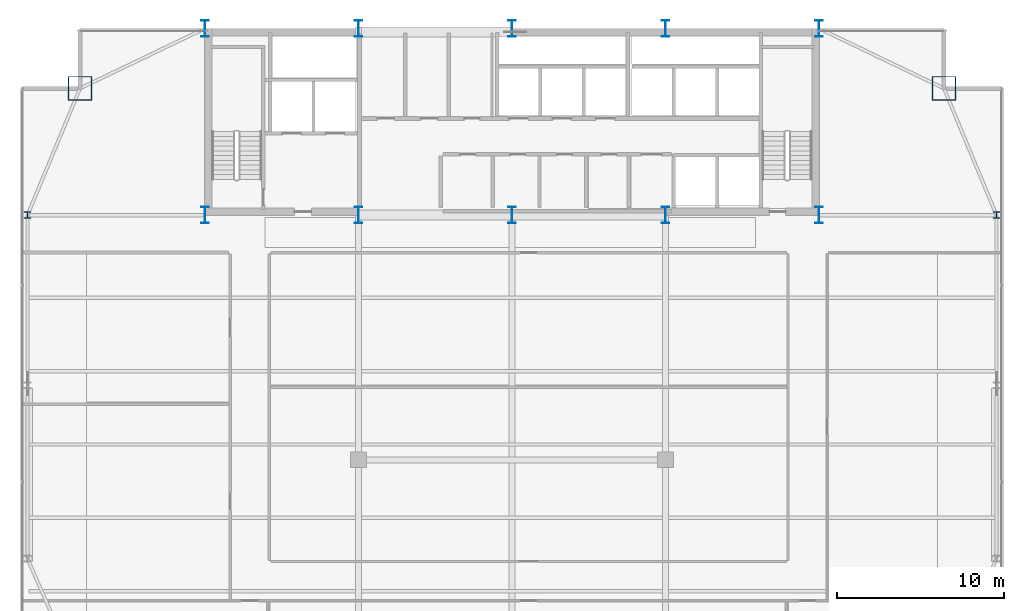
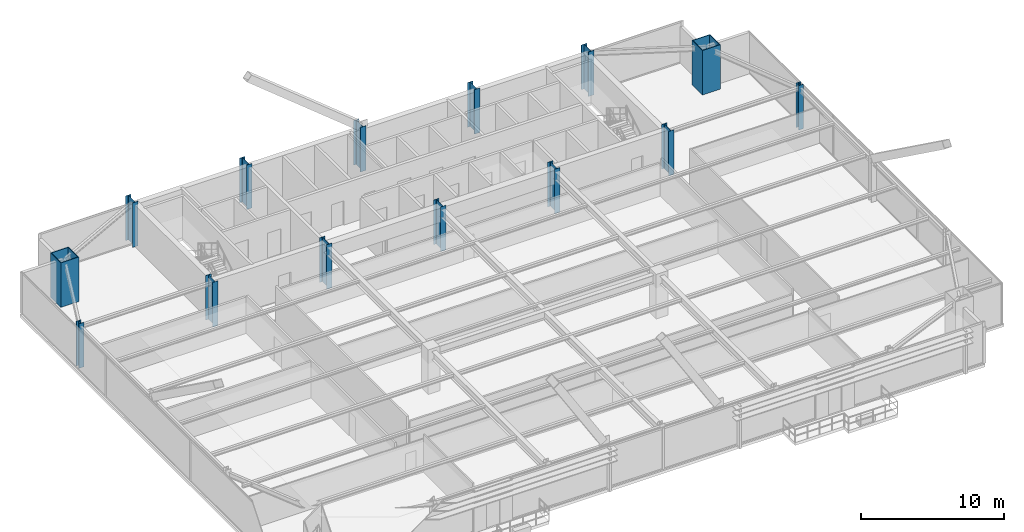
# One storey, part 2 of 37: 14 columns.
"""IFC4 building model written with IfcOpenShell, lengths in metres."""

from ifc_helpers import new_model, si_unit, direction, frame, origin, origin_2d, place, context, subcontext, project, spatial, hollow_rectangle, i_section, extrude, source, transform, mapped, material, material_profile, profile_set, type_object, type_shapes, element, save


model = new_model("IFC4")

# Units and contexts
model_context = context("Model", 3, precision=1e-05, world=origin(), true_north=direction((0.0, 1.0)))
body_context = subcontext(model_context, "Body", "Model", "MODEL_VIEW")
ifc_project = project(units=[si_unit("LENGTHUNIT", "METRE"), si_unit("AREAUNIT", "SQUARE_METRE"), si_unit("VOLUMEUNIT", "CUBIC_METRE"), si_unit("PLANEANGLEUNIT", "RADIAN"), si_unit("MASSUNIT", "GRAM", prefix="KILO")], contexts=[model_context])

# Site, building, storey
site_placement = place(None, origin())
site = spatial("IfcSite", under=ifc_project, at=site_placement, CompositionType="ELEMENT")
building_placement = place(site_placement, origin())
building = spatial("IfcBuilding", under=site, at=building_placement, Name="Varnel Quay Broadcast Tower", CompositionType="ELEMENT")
storey_placement = place(building_placement, frame((0.0, 0.0, 106.800048828125)))
storey = spatial("IfcBuildingStorey", under=building, at=storey_placement, Name="L25", CompositionType="ELEMENT", Elevation=106.800048828125)

# Columns
ifc_material_1 = material(Name="Structural Steel CSA G40.21 350WT", Category="steel")
ifc_material_profile_1 = material_profile(ifc_material_1, i_section(OverallWidth=0.449951171875, OverallDepth=1.0, WebThickness=0.01611328125, FlangeThickness=0.030029296875, FilletRadius=0.01611328125, at=origin_2d()), Name="WWF1000X362")
ifc_profile_set_1 = profile_set([ifc_material_profile_1], Name="Structural Steel CSA G40.21 350WT")
column_type_1 = type_object("IfcColumnType", Name="Col_WWF1000X362", PredefinedType="COLUMN", material=ifc_profile_set_1)
shared_shape_1 = source(origin(), body_context, "Body", "SweptSolid", [
    extrude(i_section(OverallWidth=0.449951171875, OverallDepth=1.0, WebThickness=0.01611328125, FlangeThickness=0.030029296875, FilletRadius=0.01611328125, at=origin_2d()), origin(), (0.0, 0.0, 1.0), 3.800048828125),
])
type_shapes(column_type_1, [shared_shape_1])
for number, where, z_axis, x_axis, name in (
    (1, (15.60009765625, 35.60009765625, 0.0), (0.0, 0.0, 1.0), (1.0, 0.0, 0.0), "L25 Column CC-S1"),
    (2, (15.60009765625, 46.800048828125, 0.0), (0.0, 0.0, 1.0), (1.0, 0.0, 0.0), "L25 Column CC-N1"),
    (3, (24.800048828125, 35.60009765625, 0.0), (0.0, 0.0, 1.0), (1.0, 0.0, 0.0), "L25 Column CC-S2"),
    (4, (24.800048828125, 46.800048828125, 0.0), (0.0, 0.0, 1.0), (1.0, 0.0, 0.0), "L25 Column CC-N2"),
    (5, (34.0, 35.60009765625, 0.0), (0.0, 0.0, 1.0), (1.0, 0.0, 0.0), "L25 Column CC-S3"),
    (6, (34.0, 46.800048828125, 0.0), (0.0, 0.0, 1.0), (1.0, 0.0, 0.0), "L25 Column CC-N3"),
    (7, (43.199951171875, 35.60009765625, 0.0), (0.0, 0.0, 1.0), (1.0, 0.0, 0.0), "L25 Column CC-S4"),
    (8, (43.199951171875, 46.800048828125, 0.0), (0.0, 0.0, 1.0), (1.0, 0.0, 0.0), "L25 Column CC-N4"),
    (9, (52.39990234375, 35.60009765625, 0.0), (0.0, 0.0, 1.0), (1.0, 0.0, 0.0), "L25 Column CC-S5"),
    (10, (52.39990234375, 46.800048828125, 0.0), (0.0, 0.0, 1.0), (1.0, 0.0, 0.0), "L25 Column CC-N5"),
):
    element("IfcColumn", number, at=place(storey_placement, frame(where, z_axis=z_axis, x_axis=x_axis)), inside=storey, type_object=column_type_1, Name=name, PredefinedType="COLUMN", context=body_context, shape_type="MappedRepresentation", body=[
        mapped(shared_shape_1, transform((0.0, 0.0, 0.0), x_axis=(1.0, 0.0, 0.0), y_axis=(0.0, 1.0, 0.0), z_axis=(0.0, 0.0, 1.0), scale=1.0)),
    ])
ifc_material_profile_2 = material_profile(ifc_material_1, hollow_rectangle(XDim=1.449951171875, YDim=1.449951171875, WallThickness=0.054931640625, at=origin_2d()), Name="BOX1450X1450X55")
ifc_profile_set_2 = profile_set([ifc_material_profile_2], Name="Structural Steel CSA G40.21 350WT")
column_type_2 = type_object("IfcColumnType", Name="Col_BOX1450X1450X55", PredefinedType="COLUMN", material=ifc_profile_set_2)
shared_shape_2 = source(origin(), body_context, "Body", "SweptSolid", [
    extrude(hollow_rectangle(XDim=1.449951171875, YDim=1.449951171875, WallThickness=0.054931640625, at=origin_2d()), origin(), (0.0, 0.0, 1.0), 3.800048828125),
])
type_shapes(column_type_2, [shared_shape_2])
for number, where, z_axis, x_axis, name in (
    (11, (59.89990234375, 43.199951171875, 0.0), (0.0, 0.0, 1.0), (1.0, 0.0, 0.0), "L25 Column MC-NE"),
    (12, (8.10009765625, 43.199951171875, 0.0), (0.0, 0.0, 1.0), (1.0, 0.0, 0.0), "L25 Column MC-NW"),
):
    element("IfcColumn", number, at=place(storey_placement, frame(where, z_axis=z_axis, x_axis=x_axis)), inside=storey, type_object=column_type_2, Name=name, PredefinedType="COLUMN", context=body_context, shape_type="MappedRepresentation", body=[
        mapped(shared_shape_2, transform((0.0, 0.0, 0.0), x_axis=(1.0, 0.0, 0.0), y_axis=(0.0, 1.0, 0.0), z_axis=(0.0, 0.0, 1.0), scale=1.0)),
    ])
ifc_material_2 = material(Name="Structural Steel CSA G40.21 350W", Category="steel")
ifc_material_profile_3 = material_profile(ifc_material_2, i_section(OverallWidth=0.39794921875, OverallDepth=0.386962890625, WebThickness=0.02099609375, FlangeThickness=0.033203125, FilletRadius=0.01806640625, at=origin_2d()), Name="W360X262")
ifc_profile_set_3 = profile_set([ifc_material_profile_3], Name="Structural Steel CSA G40.21 350W")
column_type_3 = type_object("IfcColumnType", Name="Col_W360X262", PredefinedType="COLUMN", material=ifc_profile_set_3)
shared_shape_3 = source(origin(), body_context, "Body", "SweptSolid", [
    extrude(i_section(OverallWidth=0.39794921875, OverallDepth=0.386962890625, WebThickness=0.02099609375, FlangeThickness=0.033203125, FilletRadius=0.01806640625, at=origin_2d()), origin(), (0.0, 0.0, 1.0), 3.800048828125),
])
type_shapes(column_type_3, [shared_shape_3])
for number, where, z_axis, x_axis, name in (
    (13, (4.949951171875, 35.60009765625, 0.0), (0.0, 0.0, 1.0), (1.0, 0.0, 0.0), "L25 Column TC-W3"),
    (14, (63.050048828125, 35.60009765625, 0.0), (0.0, 0.0, 1.0), (1.0, 0.0, 0.0), "L25 Column TC-E3"),
):
    element("IfcColumn", number, at=place(storey_placement, frame(where, z_axis=z_axis, x_axis=x_axis)), inside=storey, type_object=column_type_3, Name=name, PredefinedType="COLUMN", context=body_context, shape_type="MappedRepresentation", body=[
        mapped(shared_shape_3, transform((0.0, 0.0, 0.0), x_axis=(1.0, 0.0, 0.0), y_axis=(0.0, 1.0, 0.0), z_axis=(0.0, 0.0, 1.0), scale=1.0)),
    ])

save(model, "model.ifc")
